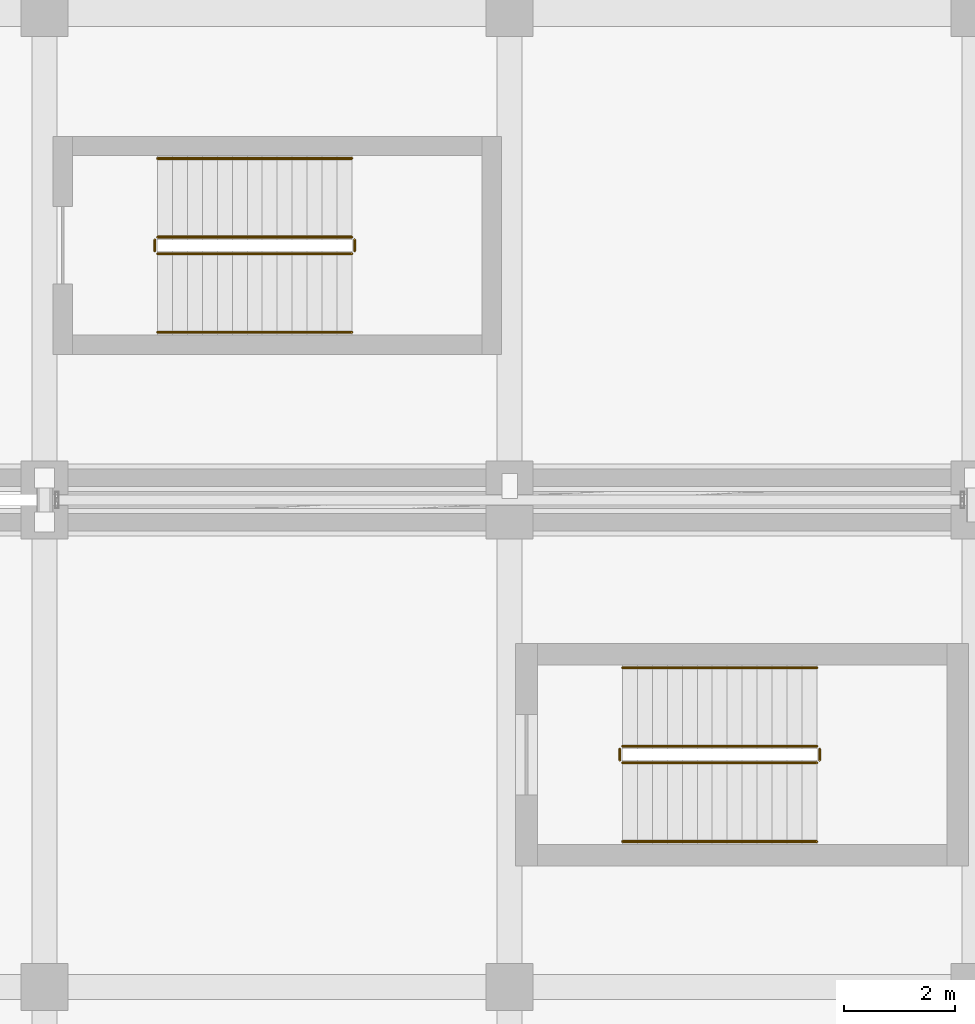
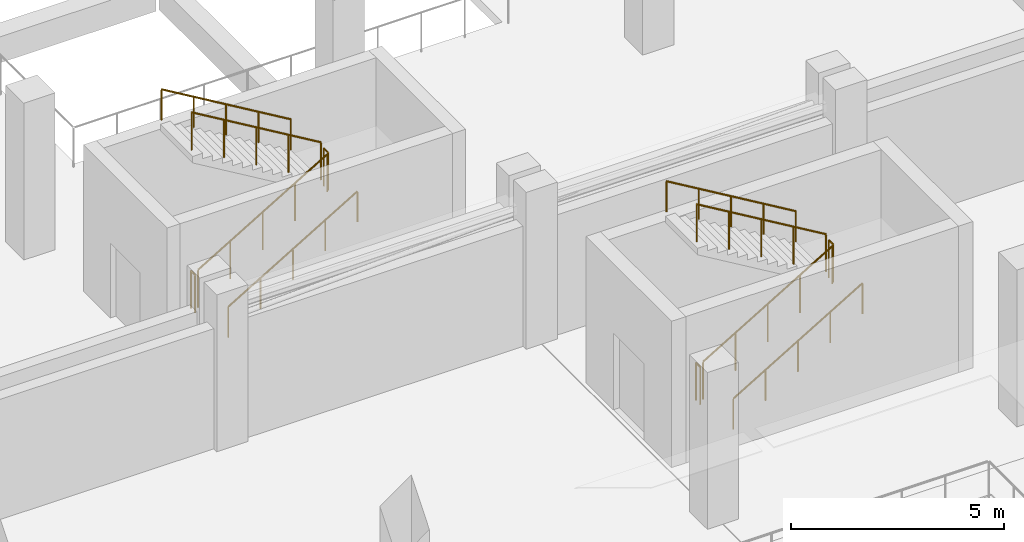
# One storey, part 128 of 137: 12 railings.
"""IFC4 building model written with IfcOpenShell, lengths in metres."""

from ifc_helpers import new_model, si_unit, direction, frame, origin, origin_2d, place, context, subcontext, project, spatial, circle, extrude, material, type_object, element, save


model = new_model("IFC4")

# Units and contexts
model_context = context("Model", 3, precision=1e-05, world=origin(), true_north=direction((0.0, 1.0)))
body_context = subcontext(model_context, "Body", "Model", "MODEL_VIEW")
ifc_project = project(units=[si_unit("LENGTHUNIT", "METRE"), si_unit("AREAUNIT", "SQUARE_METRE"), si_unit("VOLUMEUNIT", "CUBIC_METRE"), si_unit("PLANEANGLEUNIT", "RADIAN"), si_unit("MASSUNIT", "GRAM", prefix="KILO")], contexts=[model_context])

# Site, building, storey
site_placement = place(None, origin())
site = spatial("IfcSite", under=ifc_project, at=site_placement, CompositionType="ELEMENT")
building_placement = place(site_placement, origin())
building = spatial("IfcBuilding", under=site, at=building_placement, Name="Xazarin Passage Department Store", CompositionType="ELEMENT")
storey_placement = place(building_placement, frame((0.0, 0.0, 5.39990234375)))
storey = spatial("IfcBuildingStorey", under=building, at=storey_placement, Name="L01", CompositionType="ELEMENT", Elevation=5.39990234375)

# Railings
ifc_material = material(Name="Steel S355", Category="steel")
railing_type_1 = type_object("IfcRailingType", Name="ARC-RL-GRD112", PredefinedType="GUARDRAIL", material=ifc_material)
railing_1_placement = place(storey_placement, frame((86.840087890625, 46.050048828125, 0.160888671875)))
element("IfcRailing", 1, at=railing_1_placement, inside=storey, type_object=railing_type_1, Name="L01 ST5 stair guard 1", PredefinedType="GUARDRAIL", context=body_context, shape_type="SweptSolid", body=[
    extrude(circle(Radius=0.02392578125, at=origin_2d()), frame((0.0, 0.0, 1.076171875), z_axis=(0.859312273368, 0.0, 0.511451284914), x_axis=(0.0, 1.0, 0.0)), (0.0, 0.0, 1.0), 4.084716796875),
    extrude(circle(Radius=0.02099609375, at=origin_2d()), origin(), (0.0, 0.0, 1.0), 1.0517578125),
    extrude(circle(Radius=0.02099609375, at=origin_2d()), frame((0.87744140625, 0.0, 0.522216796875)), (0.0, 0.0, 1.0), 1.0517578125),
    extrude(circle(Radius=0.02099609375, at=origin_2d()), frame((1.7548828125, 0.0, 1.04443359375)), (0.0, 0.0, 1.0), 1.0517578125),
    extrude(circle(Radius=0.02099609375, at=origin_2d()), frame((2.632568359375, 0.0, 1.56689453125)), (0.0, 0.0, 1.0), 1.0517578125),
    extrude(circle(Radius=0.02099609375, at=origin_2d()), frame((3.510009765625, 0.0, 2.089111328125)), (0.0, 0.0, 1.0), 1.0517578125),
])
railing_2_placement = place(storey_placement, frame((90.39990234375, 46.10009765625, 2.25)))
element("IfcRailing", 2, at=railing_2_placement, inside=storey, type_object=railing_type_1, Name="L01 ST5 stair guard 2", PredefinedType="GUARDRAIL", context=body_context, shape_type="SweptSolid", body=[
    extrude(circle(Radius=0.02392578125, at=origin_2d()), frame((0.0, 0.0, 1.076171875), z_axis=(0.0, 1.0, 0.0), x_axis=(-1.0, 0.0, 0.0)), (0.0, 0.0, 1.0), 0.199951171875),
    extrude(circle(Radius=0.02099609375, at=origin_2d()), origin(), (0.0, 0.0, 1.0), 1.0517578125),
    extrude(circle(Radius=0.02099609375, at=origin_2d()), frame((0.0, 0.199951171875, 0.0)), (0.0, 0.0, 1.0), 1.0517578125),
])
railing_3_placement = place(storey_placement, frame((90.35009765625, 46.35009765625, 2.410888671875)))
element("IfcRailing", 3, at=railing_3_placement, inside=storey, type_object=railing_type_1, Name="L01 ST5 stair guard 3", PredefinedType="GUARDRAIL", context=body_context, shape_type="SweptSolid", body=[
    extrude(circle(Radius=0.02392578125, at=origin_2d()), frame((0.0, 0.0, 1.076171875), z_axis=(-0.859312273368, 0.0, 0.511451284914), x_axis=(0.0, -1.0, 0.0)), (0.0, 0.0, 1.0), 4.084716796875),
    extrude(circle(Radius=0.02099609375, at=origin_2d()), origin(), (0.0, 0.0, 1.0), 1.0517578125),
    extrude(circle(Radius=0.02099609375, at=origin_2d()), frame((-0.87744140625, 0.0, 0.522216796875)), (0.0, 0.0, 1.0), 1.0517578125),
    extrude(circle(Radius=0.02099609375, at=origin_2d()), frame((-1.7548828125, 0.0, 1.04443359375)), (0.0, 0.0, 1.0), 1.0517578125),
    extrude(circle(Radius=0.02099609375, at=origin_2d()), frame((-2.632568359375, 0.0, 1.56689453125)), (0.0, 0.0, 1.0), 1.0517578125),
    extrude(circle(Radius=0.02099609375, at=origin_2d()), frame((-3.510009765625, 0.0, 2.089111328125)), (0.0, 0.0, 1.0), 1.0517578125),
])
railing_4_placement = place(storey_placement, frame((86.7900390625, 46.10009765625, 0.0)))
element("IfcRailing", 4, at=railing_4_placement, inside=storey, type_object=railing_type_1, Name="L01 ST5 stair guard 4", PredefinedType="GUARDRAIL", context=body_context, shape_type="SweptSolid", body=[
    extrude(circle(Radius=0.02392578125, at=origin_2d()), frame((0.0, 0.0, 1.076171875), z_axis=(0.0, 1.0, 0.0), x_axis=(-1.0, 0.0, 0.0)), (0.0, 0.0, 1.0), 0.199951171875),
    extrude(circle(Radius=0.02099609375, at=origin_2d()), origin(), (0.0, 0.0, 1.0), 1.0517578125),
    extrude(circle(Radius=0.02099609375, at=origin_2d()), frame((0.0, 0.199951171875, 0.0)), (0.0, 0.0, 1.0), 1.0517578125),
])
railing_5_placement = place(storey_placement, frame((78.43994140625, 55.25, 0.160888671875)))
element("IfcRailing", 5, at=railing_5_placement, inside=storey, type_object=railing_type_1, Name="L01 ST6 stair guard 1", PredefinedType="GUARDRAIL", context=body_context, shape_type="SweptSolid", body=[
    extrude(circle(Radius=0.02392578125, at=origin_2d()), frame((0.0, 0.0, 1.076171875), z_axis=(0.859312273368, 0.0, 0.511451284914), x_axis=(0.0, 1.0, 0.0)), (0.0, 0.0, 1.0), 4.084716796875),
    extrude(circle(Radius=0.02099609375, at=origin_2d()), origin(), (0.0, 0.0, 1.0), 1.0517578125),
    extrude(circle(Radius=0.02099609375, at=origin_2d()), frame((0.87744140625, 0.0, 0.522216796875)), (0.0, 0.0, 1.0), 1.0517578125),
    extrude(circle(Radius=0.02099609375, at=origin_2d()), frame((1.7548828125, 0.0, 1.04443359375)), (0.0, 0.0, 1.0), 1.0517578125),
    extrude(circle(Radius=0.02099609375, at=origin_2d()), frame((2.632568359375, 0.0, 1.56689453125)), (0.0, 0.0, 1.0), 1.0517578125),
    extrude(circle(Radius=0.02099609375, at=origin_2d()), frame((3.510009765625, 0.0, 2.089111328125)), (0.0, 0.0, 1.0), 1.0517578125),
])
railing_6_placement = place(storey_placement, frame((82.0, 55.300048828125, 2.25)))
element("IfcRailing", 6, at=railing_6_placement, inside=storey, type_object=railing_type_1, Name="L01 ST6 stair guard 2", PredefinedType="GUARDRAIL", context=body_context, shape_type="SweptSolid", body=[
    extrude(circle(Radius=0.02392578125, at=origin_2d()), frame((0.0, 0.0, 1.076171875), z_axis=(0.0, 1.0, 0.0), x_axis=(-1.0, 0.0, 0.0)), (0.0, 0.0, 1.0), 0.199951171875),
    extrude(circle(Radius=0.02099609375, at=origin_2d()), origin(), (0.0, 0.0, 1.0), 1.0517578125),
    extrude(circle(Radius=0.02099609375, at=origin_2d()), frame((0.0, 0.199951171875, 0.0)), (0.0, 0.0, 1.0), 1.0517578125),
])
railing_7_placement = place(storey_placement, frame((81.949951171875, 55.550048828125, 2.410888671875)))
element("IfcRailing", 7, at=railing_7_placement, inside=storey, type_object=railing_type_1, Name="L01 ST6 stair guard 3", PredefinedType="GUARDRAIL", context=body_context, shape_type="SweptSolid", body=[
    extrude(circle(Radius=0.02392578125, at=origin_2d()), frame((0.0, 0.0, 1.076171875), z_axis=(-0.859312273368, 0.0, 0.511451284914), x_axis=(0.0, -1.0, 0.0)), (0.0, 0.0, 1.0), 4.084716796875),
    extrude(circle(Radius=0.02099609375, at=origin_2d()), origin(), (0.0, 0.0, 1.0), 1.0517578125),
    extrude(circle(Radius=0.02099609375, at=origin_2d()), frame((-0.87744140625, 0.0, 0.522216796875)), (0.0, 0.0, 1.0), 1.0517578125),
    extrude(circle(Radius=0.02099609375, at=origin_2d()), frame((-1.7548828125, 0.0, 1.04443359375)), (0.0, 0.0, 1.0), 1.0517578125),
    extrude(circle(Radius=0.02099609375, at=origin_2d()), frame((-2.632568359375, 0.0, 1.56689453125)), (0.0, 0.0, 1.0), 1.0517578125),
    extrude(circle(Radius=0.02099609375, at=origin_2d()), frame((-3.510009765625, 0.0, 2.089111328125)), (0.0, 0.0, 1.0), 1.0517578125),
])
railing_8_placement = place(storey_placement, frame((78.389892578125, 55.300048828125, 0.0)))
element("IfcRailing", 8, at=railing_8_placement, inside=storey, type_object=railing_type_1, Name="L01 ST6 stair guard 4", PredefinedType="GUARDRAIL", context=body_context, shape_type="SweptSolid", body=[
    extrude(circle(Radius=0.02392578125, at=origin_2d()), frame((0.0, 0.0, 1.076171875), z_axis=(0.0, 1.0, 0.0), x_axis=(-1.0, 0.0, 0.0)), (0.0, 0.0, 1.0), 0.199951171875),
    extrude(circle(Radius=0.02099609375, at=origin_2d()), origin(), (0.0, 0.0, 1.0), 1.0517578125),
    extrude(circle(Radius=0.02099609375, at=origin_2d()), frame((0.0, 0.199951171875, 0.0)), (0.0, 0.0, 1.0), 1.0517578125),
])
railing_type_2 = type_object("IfcRailingType", Name="ARC-RL-HND090", PredefinedType="HANDRAIL", material=ifc_material)
railing_9_placement = place(storey_placement, frame((86.840087890625, 44.6298828125, 0.160888671875)))
element("IfcRailing", 9, at=railing_9_placement, inside=storey, type_object=railing_type_2, Name="L01 ST5 stair handrail 1", PredefinedType="HANDRAIL", context=body_context, shape_type="SweptSolid", body=[
    extrude(circle(Radius=0.02392578125, at=origin_2d()), frame((0.0, 0.0, 0.8759765625), z_axis=(0.859312273368, 0.0, 0.511451284914), x_axis=(0.0, 1.0, 0.0)), (0.0, 0.0, 1.0), 4.084716796875),
    extrude(circle(Radius=0.02099609375, at=origin_2d()), origin(), (0.0, 0.0, 1.0), 0.8515625),
    extrude(circle(Radius=0.02099609375, at=origin_2d()), frame((0.87744140625, 0.0, 0.522216796875)), (0.0, 0.0, 1.0), 0.8515625),
    extrude(circle(Radius=0.02099609375, at=origin_2d()), frame((1.7548828125, 0.0, 1.04443359375)), (0.0, 0.0, 1.0), 0.8515625),
    extrude(circle(Radius=0.02099609375, at=origin_2d()), frame((2.632568359375, 0.0, 1.56689453125)), (0.0, 0.0, 1.0), 0.8515625),
    extrude(circle(Radius=0.02099609375, at=origin_2d()), frame((3.510009765625, 0.0, 2.089111328125)), (0.0, 0.0, 1.0), 0.8515625),
])
railing_10_placement = place(storey_placement, frame((90.35009765625, 47.77001953125, 2.410888671875)))
element("IfcRailing", 10, at=railing_10_placement, inside=storey, type_object=railing_type_2, Name="L01 ST5 stair handrail 2", PredefinedType="HANDRAIL", context=body_context, shape_type="SweptSolid", body=[
    extrude(circle(Radius=0.02392578125, at=origin_2d()), frame((0.0, 0.0, 0.8759765625), z_axis=(-0.859312273368, 0.0, 0.511451284914), x_axis=(0.0, -1.0, 0.0)), (0.0, 0.0, 1.0), 4.084716796875),
    extrude(circle(Radius=0.02099609375, at=origin_2d()), origin(), (0.0, 0.0, 1.0), 0.8515625),
    extrude(circle(Radius=0.02099609375, at=origin_2d()), frame((-0.87744140625, 0.0, 0.522216796875)), (0.0, 0.0, 1.0), 0.8515625),
    extrude(circle(Radius=0.02099609375, at=origin_2d()), frame((-1.7548828125, 0.0, 1.04443359375)), (0.0, 0.0, 1.0), 0.8515625),
    extrude(circle(Radius=0.02099609375, at=origin_2d()), frame((-2.632568359375, 0.0, 1.56689453125)), (0.0, 0.0, 1.0), 0.8515625),
    extrude(circle(Radius=0.02099609375, at=origin_2d()), frame((-3.510009765625, 0.0, 2.089111328125)), (0.0, 0.0, 1.0), 0.8515625),
])
railing_11_placement = place(storey_placement, frame((78.43994140625, 53.830078125, 0.160888671875)))
element("IfcRailing", 11, at=railing_11_placement, inside=storey, type_object=railing_type_2, Name="L01 ST6 stair handrail 1", PredefinedType="HANDRAIL", context=body_context, shape_type="SweptSolid", body=[
    extrude(circle(Radius=0.02392578125, at=origin_2d()), frame((0.0, 0.0, 0.8759765625), z_axis=(0.859312273368, 0.0, 0.511451284914), x_axis=(0.0, 1.0, 0.0)), (0.0, 0.0, 1.0), 4.084716796875),
    extrude(circle(Radius=0.02099609375, at=origin_2d()), origin(), (0.0, 0.0, 1.0), 0.8515625),
    extrude(circle(Radius=0.02099609375, at=origin_2d()), frame((0.87744140625, 0.0, 0.522216796875)), (0.0, 0.0, 1.0), 0.8515625),
    extrude(circle(Radius=0.02099609375, at=origin_2d()), frame((1.7548828125, 0.0, 1.04443359375)), (0.0, 0.0, 1.0), 0.8515625),
    extrude(circle(Radius=0.02099609375, at=origin_2d()), frame((2.632568359375, 0.0, 1.56689453125)), (0.0, 0.0, 1.0), 0.8515625),
    extrude(circle(Radius=0.02099609375, at=origin_2d()), frame((3.510009765625, 0.0, 2.089111328125)), (0.0, 0.0, 1.0), 0.8515625),
])
railing_12_placement = place(storey_placement, frame((81.949951171875, 56.969970703125, 2.410888671875)))
element("IfcRailing", 12, at=railing_12_placement, inside=storey, type_object=railing_type_2, Name="L01 ST6 stair handrail 2", PredefinedType="HANDRAIL", context=body_context, shape_type="SweptSolid", body=[
    extrude(circle(Radius=0.02392578125, at=origin_2d()), frame((0.0, 0.0, 0.8759765625), z_axis=(-0.859312273368, 0.0, 0.511451284914), x_axis=(0.0, -1.0, 0.0)), (0.0, 0.0, 1.0), 4.084716796875),
    extrude(circle(Radius=0.02099609375, at=origin_2d()), origin(), (0.0, 0.0, 1.0), 0.8515625),
    extrude(circle(Radius=0.02099609375, at=origin_2d()), frame((-0.87744140625, 0.0, 0.522216796875)), (0.0, 0.0, 1.0), 0.8515625),
    extrude(circle(Radius=0.02099609375, at=origin_2d()), frame((-1.7548828125, 0.0, 1.04443359375)), (0.0, 0.0, 1.0), 0.8515625),
    extrude(circle(Radius=0.02099609375, at=origin_2d()), frame((-2.632568359375, 0.0, 1.56689453125)), (0.0, 0.0, 1.0), 0.8515625),
    extrude(circle(Radius=0.02099609375, at=origin_2d()), frame((-3.510009765625, 0.0, 2.089111328125)), (0.0, 0.0, 1.0), 0.8515625),
])

save(model, "model.ifc")
